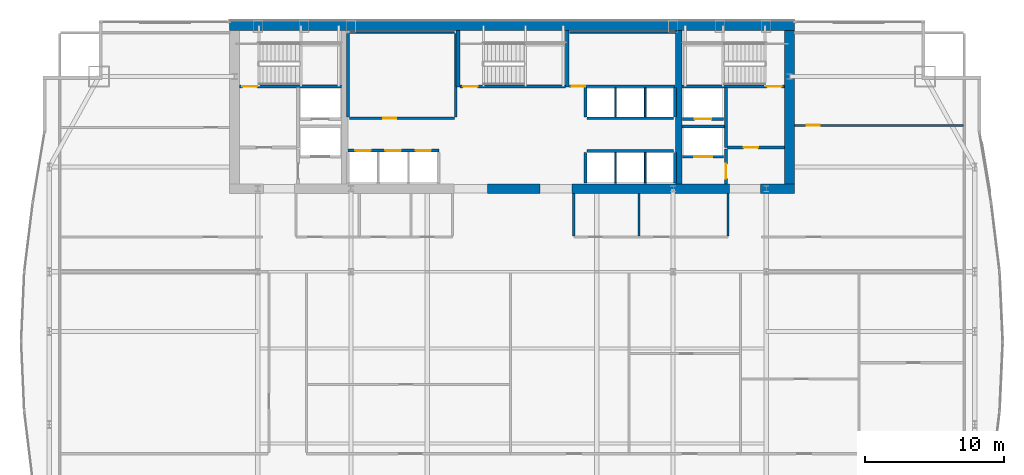
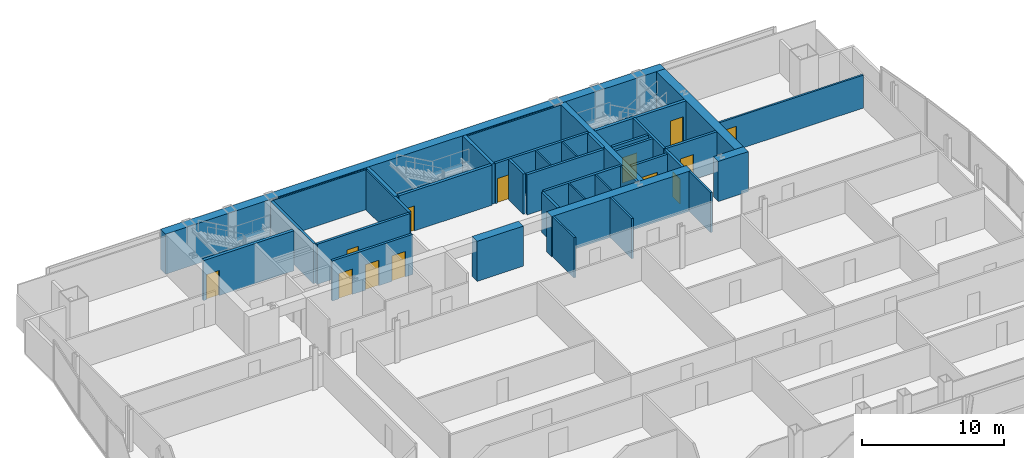
# One storey, part 28 of 31: 38 walls, 13 doors, 13 openings.
"""IFC4 building model written with IfcOpenShell, lengths in metres."""

import ifcopenshell
import ifcopenshell.guid

model = None  # the IFC model being written
_history = None  # IfcOwnerHistory: only IFC2X3 demands one
_inside = {}  # id of a spatial element -> (the spatial element, [elements in it])
_under = {}  # id of a project, library or spatial element -> (it, [spatial elements below it])
_declared = {}  # id of a project -> (the project, [libraries it declares])
_typed = {}  # id of a type object -> (the type object, [elements of that type])
_made_of = {}  # id of a material, layer set ... -> (it, [elements and type objects made of it])


def new_model(schema):
    """Start an empty IFC model of exactly this schema.

    Asked for "IFC4X3", IfcOpenShell would pick the latest addendum, in which some entities
    have other attributes; the version numbers below select the first issue.
    IFC2X3 requires an IfcOwnerHistory on every rooted entity: one is made here for all.
    """
    global model, _history
    if schema == "IFC4X3":
        model = ifcopenshell.file(schema_version=(4, 3, 0, 0))
    else:
        model = ifcopenshell.file(schema=schema)
    _inside.clear()
    _under.clear()
    _declared.clear()
    _typed.clear()
    _made_of.clear()
    _history = None
    if model.schema == "IFC2X3":
        org = make("IfcOrganization", Name="unknown")
        user = make(
            "IfcPersonAndOrganization",
            ThePerson=make("IfcPerson", FamilyName="unknown"),
            TheOrganization=org,
        )
        app = make(
            "IfcApplication",
            ApplicationDeveloper=org,
            Version="unknown",
            ApplicationFullName="unknown",
            ApplicationIdentifier="unknown",
        )
        _history = make(
            "IfcOwnerHistory",
            OwningUser=user,
            OwningApplication=app,
            ChangeAction="ADDED",
            CreationDate=0,
        )
    return model


def make(cls, **values):
    """One entity of the class cls with the attributes given. An attribute that is None is left unset."""
    return model.create_entity(
        cls, **{name: value for name, value in values.items() if value is not None}
    )


def rooted(cls, **values):
    """An entity with a GlobalId (a new one), such as an element, a storey or a relation."""
    return make(cls, GlobalId=ifcopenshell.guid.new(), OwnerHistory=_history, **values)


def si_unit(unit_type, name, prefix=None):
    """IfcSIUnit, for example si_unit("LENGTHUNIT", "METRE", prefix="MILLI")."""
    return make("IfcSIUnit", UnitType=unit_type, Prefix=prefix, Name=name)


def assignment(units):
    """IfcUnitAssignment: the units of a project."""
    return None if units is None else make("IfcUnitAssignment", Units=units)


def point(xyz):
    """IfcCartesianPoint."""
    return None if xyz is None else make("IfcCartesianPoint", Coordinates=xyz)


def direction(xyz):
    """IfcDirection."""
    return None if xyz is None else make("IfcDirection", DirectionRatios=xyz)


def frame(location, z_axis=None, x_axis=None):
    """IfcAxis2Placement3D, a coordinate frame: its origin and axes. An axis left out is left unset."""
    return make(
        "IfcAxis2Placement3D",
        Location=point(location),
        Axis=direction(z_axis),
        RefDirection=direction(x_axis),
    )


def frame_2d(location, x_axis=None):
    """IfcAxis2Placement2D, a coordinate frame in the plane: its origin and x axis."""
    return make(
        "IfcAxis2Placement2D", Location=point(location), RefDirection=direction(x_axis)
    )


def origin():
    """The frame at (0, 0, 0) with its axes left unset."""
    return frame((0.0, 0.0, 0.0))


def place(relative_to, where):
    """IfcLocalPlacement: puts the frame where relative to a parent placement (None: the world)."""
    return make(
        "IfcLocalPlacement", PlacementRelTo=relative_to, RelativePlacement=where
    )


def context(
    kind, dimensions, precision=None, world=None, true_north=None, identifier=None
):
    """IfcGeometricRepresentationContext, for example the 3D "Model" context."""
    return make(
        "IfcGeometricRepresentationContext",
        ContextIdentifier=identifier,
        ContextType=kind,
        CoordinateSpaceDimension=dimensions,
        Precision=precision,
        WorldCoordinateSystem=world,
        TrueNorth=true_north,
    )


def subcontext(parent, identifier, kind, view, scale=None):
    """IfcGeometricRepresentationSubContext, for example "Body" below "Model"."""
    return make(
        "IfcGeometricRepresentationSubContext",
        ContextIdentifier=identifier,
        ContextType=kind,
        ParentContext=parent,
        TargetScale=scale,
        TargetView=view,
    )


def project(units=None, contexts=None):
    """IfcProject with its units and contexts."""
    return rooted(
        "IfcProject",
        Name="project",
        RepresentationContexts=contexts,
        UnitsInContext=assignment(units),
    )


def spatial(cls, under=None, at=None, **own):
    """A site, building, storey or space (cls), placed at a placement, below another one or the project."""
    s = rooted(cls, ObjectPlacement=at, **own)
    if under is not None:
        _under.setdefault(under.id(), (under, []))[1].append(s)
    return s


def profile(cls, at=None, kind="AREA", **sizes):
    """A parametric profile (cls). Its sizes go by their IFC names, for example OverallWidth=200.0."""
    return make(cls, ProfileType=kind, Position=at, **sizes)


def rectangle(**sizes):
    """IfcRectangleProfileDef."""
    return profile("IfcRectangleProfileDef", **sizes)


def extrude(swept, where, along, depth):
    """IfcExtrudedAreaSolid: the profile swept, set in the frame where, extruded along a direction by depth."""
    return make(
        "IfcExtrudedAreaSolid",
        SweptArea=swept,
        Position=where,
        ExtrudedDirection=direction(along),
        Depth=depth,
    )


def shape(context_of_items, identifier, shape_type, items):
    """IfcShapeRepresentation: the items that make up one representation, for example the "Body"."""
    return make(
        "IfcShapeRepresentation",
        ContextOfItems=context_of_items,
        RepresentationIdentifier=identifier,
        RepresentationType=shape_type,
        Items=items,
    )


def material(Name=None, Category=None):
    """IfcMaterial."""
    return make("IfcMaterial", Name=Name, Category=Category)


def layer(
    of_material, thickness, ventilated=None, Name=None, Category=None, Priority=None
):
    """IfcMaterialLayer: one layer of a wall or slab, of a material (None: an air gap)."""
    return make(
        "IfcMaterialLayer",
        Material=of_material,
        LayerThickness=thickness,
        IsVentilated=ventilated,
        Name=Name,
        Category=Category,
        Priority=Priority,
    )


def layer_set(layers, Name=None):
    """IfcMaterialLayerSet."""
    return make("IfcMaterialLayerSet", MaterialLayers=layers, LayerSetName=Name)


def made_of(thing, what):
    """Note that an element or type object is made of a material, layer set ...; save() writes the relation."""
    if what is not None:
        _made_of.setdefault(what.id(), (what, []))[1].append(thing)
    return thing


def type_object(cls, material=None, **own):
    """A type object (cls), such as IfcWallType, which elements share."""
    return made_of(rooted(cls, **own), material)


def element(
    cls,
    number,
    at=None,
    inside=None,
    cuts=None,
    type_object=None,
    material=None,
    context=None,
    identifier="Body",
    shape_type=None,
    held_by="IfcProductDefinitionShape",
    body=None,
    shapes=None,
    **own,
):
    """One element of the class cls, such as IfcWall. Its Tag is "e" and its number.

    at: its placement. inside: the storey or other place that contains it. cuts: it is an
    opening in that element (IfcRelVoidsElement). A single representation is given by context,
    identifier, shape_type and body (its items); several are given by shapes. held_by: the class
    of the entity that holds the representations. save() writes the other relations.
    """
    e = rooted(cls, Tag="e%d" % number, ObjectPlacement=at, **own)
    if body is not None:
        shapes = [shape(context, identifier, shape_type, body)]
    if shapes is not None:
        e.Representation = make(held_by, Representations=shapes)
    if inside is not None:
        _inside.setdefault(inside.id(), (inside, []))[1].append(e)
    if cuts is not None:
        rooted(
            "IfcRelVoidsElement", RelatingBuildingElement=cuts, RelatedOpeningElement=e
        )
    if type_object is not None:
        _typed.setdefault(type_object.id(), (type_object, []))[1].append(e)
    return made_of(e, material)


def fill(opening, filler):
    """IfcRelFillsElement: the door or window that sits in an opening."""
    return rooted(
        "IfcRelFillsElement",
        RelatingOpeningElement=opening,
        RelatedBuildingElement=filler,
    )


def aggregate(whole, parts):
    """IfcRelAggregates: a whole, such as a stair, and the parts it consists of."""
    return rooted("IfcRelAggregates", RelatingObject=whole, RelatedObjects=parts)


def save(model, path):
    """Write the relations noted so far, then the file.

    IfcRelAggregates (storeys below a building ...), IfcRelContainedInSpatialStructure (elements
    in a storey), IfcRelDefinesByType, IfcRelAssociatesMaterial and IfcRelDeclares: one each for
    every whole, place, type object, material and project.
    """
    for whole, parts in _under.values():
        aggregate(whole, parts)
    for where, things in _inside.values():
        rooted(
            "IfcRelContainedInSpatialStructure",
            RelatedElements=things,
            RelatingStructure=where,
        )
    for kind, things in _typed.values():
        rooted("IfcRelDefinesByType", RelatedObjects=things, RelatingType=kind)
    for what, things in _made_of.values():
        rooted("IfcRelAssociatesMaterial", RelatedObjects=things, RelatingMaterial=what)
    for by, libraries in _declared.values():
        rooted("IfcRelDeclares", RelatingContext=by, RelatedDefinitions=libraries)
    model.write(path)


model = new_model("IFC4")

# Units and contexts
model_context = context("Model", 3, precision=1e-05, world=origin(), true_north=direction((0.0, 1.0)))
body_context = subcontext(model_context, "Body", "Model", "MODEL_VIEW")
ifc_project = project(units=[si_unit("LENGTHUNIT", "METRE"), si_unit("AREAUNIT", "SQUARE_METRE"), si_unit("VOLUMEUNIT", "CUBIC_METRE"), si_unit("PLANEANGLEUNIT", "RADIAN"), si_unit("MASSUNIT", "GRAM", prefix="KILO")], contexts=[model_context])

# Site, building, storey
site_placement = place(None, origin())
site = spatial("IfcSite", under=ifc_project, at=site_placement, CompositionType="ELEMENT")
building_placement = place(site_placement, origin())
building = spatial("IfcBuilding", under=site, at=building_placement, Name="Khoronbel Lancet Exchange", CompositionType="ELEMENT")
storey_placement = place(building_placement, frame((0.0, 0.0, 121.800048828125)))
storey = spatial("IfcBuildingStorey", under=building, at=storey_placement, Name="L29", CompositionType="ELEMENT", Elevation=121.800048828125)

# Walls
ifc_material_1 = material(Name="Concrete C80/95", Category="concrete")
ifc_layer_1 = layer(ifc_material_1, 0.699951171875, Name="Concrete C80/95")
ifc_layer_set_1 = layer_set([ifc_layer_1], Name="Concrete C80/95")
wall_type_1 = type_object("IfcWallType", Name="WL-CW2", PredefinedType="SHEAR", material=ifc_layer_set_1)
wall_1_placement = place(storey_placement, frame((16.199951171875, 53.35009765625, 0.0), z_axis=(0.0, 0.0, 1.0), x_axis=(1.0, 0.0, 0.0)))
element("IfcWall", 1, at=wall_1_placement, inside=storey, type_object=wall_type_1, Name="Level L29 rear core north shear wall", PredefinedType="SHEAR", context=body_context, shape_type="SweptSolid", body=[
    extrude(rectangle(XDim=40.5, YDim=0.699951171875, at=frame_2d((20.25, 0.0))), origin(), (0.0, 0.0, 1.0), 3.43994140625),
])
wall_2_placement = place(storey_placement, frame((56.35009765625, 53.0, 0.0), z_axis=(0.0, 0.0, 1.0), x_axis=(0.0, -1.0, 0.0)))
element("IfcWall", 2, at=wall_2_placement, inside=storey, type_object=wall_type_1, Name="Level L29 rear core east shear wall", PredefinedType="SHEAR", context=body_context, shape_type="SweptSolid", body=[
    extrude(rectangle(XDim=11.0, YDim=0.699951171875, at=frame_2d((5.5, 0.0))), origin(), (0.0, 0.0, 1.0), 3.43994140625),
])
wall_3_placement = place(storey_placement, frame((38.449951171875, 41.64990234375, 0.0), z_axis=(0.0, 0.0, 1.0), x_axis=(-1.0, 0.0, 0.0)))
element("IfcWall", 3, at=wall_3_placement, inside=storey, type_object=wall_type_1, Name="Level L29 rear core south shear wall pier P3", PredefinedType="SHEAR", context=body_context, shape_type="SweptSolid", body=[
    extrude(rectangle(XDim=3.75, YDim=0.699951171875, at=frame_2d((1.875, 0.0))), origin(), (0.0, 0.0, 1.0), 3.43994140625),
])
wall_4_placement = place(storey_placement, frame((52.050048828125, 41.64990234375, 0.0), z_axis=(0.0, 0.0, 1.0), x_axis=(-1.0, 0.0, 0.0)))
element("IfcWall", 4, at=wall_4_placement, inside=storey, type_object=wall_type_1, Name="Level L29 rear core south shear wall pier P4", PredefinedType="SHEAR", context=body_context, shape_type="SweptSolid", body=[
    extrude(rectangle(XDim=11.300048828125, YDim=0.699951171875, at=frame_2d((5.64990234375, 0.0))), origin(), (0.0, 0.0, 1.0), 3.43994140625),
])
wall_5_placement = place(storey_placement, frame((56.699951171875, 41.64990234375, 0.0), z_axis=(0.0, 0.0, 1.0), x_axis=(-1.0, 0.0, 0.0)))
element("IfcWall", 5, at=wall_5_placement, inside=storey, type_object=wall_type_1, Name="Level L29 rear core south shear wall pier P5", PredefinedType="SHEAR", context=body_context, shape_type="SweptSolid", body=[
    extrude(rectangle(XDim=2.449951171875, YDim=0.699951171875, at=frame_2d((1.22509765625, 0.0))), origin(), (0.0, 0.0, 1.0), 3.43994140625),
])
ifc_material_2 = material(Name="Acoustic Metal-Stud & Mineral-Wool Gypsum Partition 120 mm", Category="gypsum")
ifc_layer_2 = layer(ifc_material_2, 0.1201171875, Name="Acoustic Metal-Stud & Mineral-Wool Gypsum Partition 120 mm")
ifc_layer_set_2 = layer_set([ifc_layer_2], Name="Acoustic Metal-Stud & Mineral-Wool Gypsum Partition 120 mm")
wall_type_2 = type_object("IfcWallType", Name="WL-PRT120", PredefinedType="PARTITIONING", material=ifc_layer_set_2)
for number, where, z_axis, x_axis, name in (
    (6, (40.8798828125, 38.280029296875, 0.0), (0.0, 0.0, 1.0), (0.0, 1.0, 0.0), "Level L29 interior partition PW-NP-0"),
    (7, (45.550048828125, 38.280029296875, 0.0), (0.0, 0.0, 1.0), (0.0, 1.0, 0.0), "Level L29 interior partition PW-NP-M"),
    (8, (51.949951171875, 38.280029296875, 0.0), (0.0, 0.0, 1.0), (0.0, 1.0, 0.0), "Level L29 interior partition PW-NP-1"),
):
    element("IfcWall", number, at=place(storey_placement, frame(where, z_axis=z_axis, x_axis=x_axis)), inside=storey, type_object=wall_type_2, Name=name, PredefinedType="PARTITIONING", context=body_context, shape_type="SweptSolid", body=[
        extrude(rectangle(XDim=3.02001953125, YDim=0.14990234375, at=frame_2d((1.510009765625, 0.0))), origin(), (0.0, 0.0, 1.0), 3.43994140625),
    ])

# Wall, opening, door
wall_6_placement = place(storey_placement, frame((56.699951171875, 46.199951171875, 0.0), z_axis=(0.0, 0.0, 1.0), x_axis=(1.0, 0.0, 0.0)))
wall_6 = element("IfcWall", 9, at=wall_6_placement, inside=storey, type_object=wall_type_2, Name="Level L29 interior partition PW-NE-H", PredefinedType="PARTITIONING", context=body_context, shape_type="SweptSolid", body=[
    extrude(rectangle(XDim=12.10498046875, YDim=0.14990234375, at=frame_2d((6.052490234375, 0.0))), origin(), (0.0, 0.0, 1.0), 2.829833984375),
])
opening_1_placement = place(wall_6_placement, frame((0.89990234375, 0.0, 0.0)))
opening_1 = element("IfcOpeningElement", 10, at=opening_1_placement, cuts=wall_6, Name="Opening D5", PredefinedType="OPENING", context=body_context, shape_type="SweptSolid", body=[
    extrude(rectangle(XDim=0.89990234375, YDim=2.050048828125, at=frame_2d((0.449951171875, 1.02490234375))), frame((0.0, 0.0849609375, 0.0), z_axis=(0.0, -1.0, 0.0), x_axis=(1.0, 0.0, 0.0)), (0.0, 0.0, 1.0), 0.169921875),
])
ifc_material_3 = material(Name="Acoustic Timber Pantry & Support Door", Category="wood")
door_type_1 = type_object("IfcDoorType", Name="DR-D5", OperationType="NOTDEFINED", PredefinedType="DOOR", material=ifc_material_3)
door_1_placement = place(opening_1_placement, origin())
door_1 = element("IfcDoor", 11, at=door_1_placement, inside=storey, type_object=door_type_1, Name="NE north room door L29-1", OperationType="SINGLE_SWING_LEFT", OverallHeight=2.050048828125, OverallWidth=0.89990234375, PredefinedType="DOOR", context=body_context, shape_type="SweptSolid", body=[
    extrude(rectangle(XDim=0.89990234375, YDim=2.050048828125, at=frame_2d((0.449951171875, 1.02490234375))), frame((0.0, 0.02490234375, 0.0), z_axis=(0.0, -1.0, 0.0), x_axis=(1.0, 0.0, 0.0)), (0.0, 0.0, 1.0), 0.050048828125),
])
fill(opening_1, door_1)

# Walls
ifc_material_4 = material(Name="Fire-Rated Metal-Stud & Mineral-Wool Gypsum Partition 120 mm", Category="gypsum")
ifc_layer_3 = layer(ifc_material_4, 0.1201171875, Name="Fire-Rated Metal-Stud & Mineral-Wool Gypsum Partition 120 mm")
ifc_layer_set_3 = layer_set([ifc_layer_3], Name="Fire-Rated Metal-Stud & Mineral-Wool Gypsum Partition 120 mm")
wall_type_3 = type_object("IfcWallType", Name="WL-PRT120F", PredefinedType="PARTITIONING", material=ifc_layer_set_3)
wall_7_placement = place(storey_placement, frame((24.804931640625, 52.860107421875, 0.0), z_axis=(0.0, 0.0, 1.0), x_axis=(1.0, 0.0, 0.0)))
element("IfcWall", 12, at=wall_7_placement, inside=storey, type_object=wall_type_3, Name="Level L29 interior partition CW-PL-RN", PredefinedType="PARTITIONING", context=body_context, shape_type="SweptSolid", body=[
    extrude(rectangle(XDim=7.510009765625, YDim=0.1201171875, at=frame_2d((3.7548828125, 0.0))), origin(), (0.0, 0.0, 1.0), 3.43994140625),
])
for number, where, z_axis, x_axis, name in (
    (13, (43.860107421875, 46.804931640625, 0.0), (0.0, 0.0, 1.0), (0.0, 1.0, 0.0), "Level L29 interior partition CW-PH-D1"),
    (14, (46.0, 46.804931640625, 0.0), (0.0, 0.0, 1.0), (0.0, 1.0, 0.0), "Level L29 interior partition CW-PH-D2"),
):
    element("IfcWall", number, at=place(storey_placement, frame(where, z_axis=z_axis, x_axis=x_axis)), inside=storey, type_object=wall_type_3, Name=name, PredefinedType="PARTITIONING", context=body_context, shape_type="SweptSolid", body=[
        extrude(rectangle(XDim=2.090087890625, YDim=0.1201171875, at=frame_2d((1.044921875, 0.0))), origin(), (0.0, 0.0, 1.0), 3.43994140625),
    ])
for number, where, z_axis, x_axis, name in (
    (15, (43.860107421875, 42.050048828125, 0.0), (0.0, 0.0, 1.0), (0.0, 1.0, 0.0), "Level L29 interior partition CW-PX-D1"),
    (16, (46.0, 42.050048828125, 0.0), (0.0, 0.0, 1.0), (0.0, 1.0, 0.0), "Level L29 interior partition CW-PX-D2"),
):
    element("IfcWall", number, at=place(storey_placement, frame(where, z_axis=z_axis, x_axis=x_axis)), inside=storey, type_object=wall_type_3, Name=name, PredefinedType="PARTITIONING", context=body_context, shape_type="SweptSolid", body=[
        extrude(rectangle(XDim=2.195068359375, YDim=0.1201171875, at=frame_2d((1.09765625, 0.0))), origin(), (0.0, 0.0, 1.0), 3.43994140625),
    ])
wall_8_placement = place(storey_placement, frame((40.580078125, 52.860107421875, 0.0), z_axis=(0.0, 0.0, 1.0), x_axis=(1.0, 0.0, 0.0)))
element("IfcWall", 17, at=wall_8_placement, inside=storey, type_object=wall_type_3, Name="Level L29 interior partition CW-SUP-NE-N", PredefinedType="PARTITIONING", context=body_context, shape_type="SweptSolid", body=[
    extrude(rectangle(XDim=7.559814453125, YDim=0.1201171875, at=frame_2d((3.77978515625, 0.0))), origin(), (0.0, 0.0, 1.0), 3.43994140625),
])

# Wall, openings, doors
ifc_material_5 = material(Name="Autoclaved Aerated Concrete Blockwork 200 mm", Category="masonry")
ifc_layer_4 = layer(ifc_material_5, 0.199951171875, Name="Autoclaved Aerated Concrete Blockwork 200 mm")
ifc_layer_set_4 = layer_set([ifc_layer_4], Name="Autoclaved Aerated Concrete Blockwork 200 mm")
wall_type_4 = type_object("IfcWallType", Name="WL-PRT200", PredefinedType="PARTITIONING", material=ifc_layer_set_4)
wall_9_placement = place(storey_placement, frame((24.68994140625, 44.39990234375, 0.0), z_axis=(0.0, 0.0, 1.0), x_axis=(1.0, 0.0, 0.0)))
wall_9 = element("IfcWall", 18, at=wall_9_placement, inside=storey, type_object=wall_type_4, Name="Level L29 elevator hoistway landing front wall PMW", PredefinedType="PARTITIONING", context=body_context, shape_type="SweptSolid", body=[
    extrude(rectangle(XDim=6.530029296875, YDim=0.199951171875, at=frame_2d((3.26513671875, 0.0))), origin(), (0.0, 0.0, 1.0), 3.43994140625),
])
opening_2_placement = place(wall_9_placement, frame((0.530029296875, 0.0, 0.0)))
opening_2 = element("IfcOpeningElement", 19, at=opening_2_placement, cuts=wall_9, Name="Opening LD-PM1", PredefinedType="OPENING", context=body_context, shape_type="SweptSolid", body=[
    extrude(rectangle(XDim=1.10009765625, YDim=2.179931640625, at=frame_2d((0.550048828125, 1.08984375))), frame((0.0, 0.10986328125, 0.0), z_axis=(0.0, -1.0, 0.0), x_axis=(1.0, 0.0, 0.0)), (0.0, 0.0, 1.0), 0.219970703125),
])
opening_3_placement = place(wall_9_placement, frame((2.68994140625, 0.0, 0.0)))
opening_3 = element("IfcOpeningElement", 20, at=opening_3_placement, cuts=wall_9, Name="Opening LD-PM2", PredefinedType="OPENING", context=body_context, shape_type="SweptSolid", body=[
    extrude(rectangle(XDim=1.10009765625, YDim=2.179931640625, at=frame_2d((0.550048828125, 1.08984375))), frame((0.0, 0.10986328125, 0.0), z_axis=(0.0, -1.0, 0.0), x_axis=(1.0, 0.0, 0.0)), (0.0, 0.0, 1.0), 0.219970703125),
])
opening_4_placement = place(wall_9_placement, frame((4.85009765625, 0.0, 0.0)))
opening_4 = element("IfcOpeningElement", 21, at=opening_4_placement, cuts=wall_9, Name="Opening LD-PM3", PredefinedType="OPENING", context=body_context, shape_type="SweptSolid", body=[
    extrude(rectangle(XDim=1.10009765625, YDim=2.179931640625, at=frame_2d((0.550048828125, 1.08984375))), frame((0.0, 0.10986328125, 0.0), z_axis=(0.0, -1.0, 0.0), x_axis=(1.0, 0.0, 0.0)), (0.0, 0.0, 1.0), 0.219970703125),
])
ifc_material_6 = material(Name="Brushed Bronze Bi-Parting Elevator Landing Door", Category="steel")
door_type_2 = type_object("IfcDoorType", Name="DR-LD-PAX", OperationType="NOTDEFINED", PredefinedType="DOOR", material=ifc_material_6)
door_2_placement = place(opening_2_placement, origin())
door_2 = element("IfcDoor", 22, at=door_2_placement, inside=storey, type_object=door_type_2, Name="Elevator landing sliding door LD-PM1 L29", OperationType="SLIDING_TO_LEFT", OverallHeight=2.179931640625, OverallWidth=1.10009765625, PredefinedType="DOOR", context=body_context, shape_type="SweptSolid", body=[
    extrude(rectangle(XDim=1.10009765625, YDim=2.179931640625, at=frame_2d((0.550048828125, 1.08984375))), frame((0.0, 0.02490234375, 0.0), z_axis=(0.0, -1.0, 0.0), x_axis=(1.0, 0.0, 0.0)), (0.0, 0.0, 1.0), 0.050048828125),
])
fill(opening_2, door_2)
door_3_placement = place(opening_3_placement, origin())
door_3 = element("IfcDoor", 23, at=door_3_placement, inside=storey, type_object=door_type_2, Name="Elevator landing sliding door LD-PM2 L29", OperationType="SLIDING_TO_LEFT", OverallHeight=2.179931640625, OverallWidth=1.10009765625, PredefinedType="DOOR", context=body_context, shape_type="SweptSolid", body=[
    extrude(rectangle(XDim=1.10009765625, YDim=2.179931640625, at=frame_2d((0.550048828125, 1.08984375))), frame((0.0, 0.02490234375, 0.0), z_axis=(0.0, -1.0, 0.0), x_axis=(1.0, 0.0, 0.0)), (0.0, 0.0, 1.0), 0.050048828125),
])
fill(opening_3, door_3)
door_4_placement = place(opening_4_placement, origin())
door_4 = element("IfcDoor", 24, at=door_4_placement, inside=storey, type_object=door_type_2, Name="Elevator landing sliding door LD-PM3 L29", OperationType="SLIDING_TO_LEFT", OverallHeight=2.179931640625, OverallWidth=1.10009765625, PredefinedType="DOOR", context=body_context, shape_type="SweptSolid", body=[
    extrude(rectangle(XDim=1.10009765625, YDim=2.179931640625, at=frame_2d((0.550048828125, 1.08984375))), frame((0.0, 0.02490234375, 0.0), z_axis=(0.0, -1.0, 0.0), x_axis=(1.0, 0.0, 0.0)), (0.0, 0.0, 1.0), 0.050048828125),
])
fill(opening_4, door_4)

# Wall, opening, door
wall_10_placement = place(storey_placement, frame((51.610107421875, 43.949951171875, 0.0), z_axis=(0.0, 0.0, 1.0), x_axis=(-1.0, 0.0, 0.0)))
wall_10 = element("IfcWall", 25, at=wall_10_placement, inside=storey, type_object=wall_type_4, Name="Level L29 elevator hoistway landing front wall SVLE", PredefinedType="PARTITIONING", context=body_context, shape_type="SweptSolid", body=[
    extrude(rectangle(XDim=2.920166015625, YDim=0.199951171875, at=frame_2d((1.4599609375, 0.0))), origin(), (0.0, 0.0, 1.0), 3.43994140625),
])
opening_5_placement = place(wall_10_placement, frame((0.81005859375, 0.0, 0.0)))
opening_5 = element("IfcOpeningElement", 26, at=opening_5_placement, cuts=wall_10, Name="Opening LD-SVL2", PredefinedType="OPENING", context=body_context, shape_type="SweptSolid", body=[
    extrude(rectangle(XDim=1.300048828125, YDim=2.179931640625, at=frame_2d((0.64990234375, 1.08984375))), frame((0.0, 0.10986328125, 0.0), z_axis=(0.0, -1.0, 0.0), x_axis=(1.0, 0.0, 0.0)), (0.0, 0.0, 1.0), 0.219970703125),
])
ifc_material_7 = material(Name="Heavy-Duty Bi-Parting Goods Lift Landing Door", Category="steel")
door_type_3 = type_object("IfcDoorType", Name="DR-LD-SVL", OperationType="NOTDEFINED", PredefinedType="DOOR", material=ifc_material_7)
door_5_placement = place(opening_5_placement, origin())
door_5 = element("IfcDoor", 27, at=door_5_placement, inside=storey, type_object=door_type_3, Name="Elevator landing sliding door LD-SVL2 L29", OperationType="SLIDING_TO_LEFT", OverallHeight=2.179931640625, OverallWidth=1.300048828125, PredefinedType="DOOR", context=body_context, shape_type="SweptSolid", body=[
    extrude(rectangle(XDim=1.300048828125, YDim=2.179931640625, at=frame_2d((0.64990234375, 1.08984375))), frame((0.0, 0.02490234375, 0.0), z_axis=(0.0, -1.0, 0.0), x_axis=(1.0, 0.0, 0.0)), (0.0, 0.0, 1.0), 0.050048828125),
])
fill(opening_5, door_5)

wall_11_placement = place(storey_placement, frame((51.610107421875, 46.64990234375, 0.0), z_axis=(0.0, 0.0, 1.0), x_axis=(-1.0, 0.0, 0.0)))
wall_11 = element("IfcWall", 28, at=wall_11_placement, inside=storey, type_object=wall_type_4, Name="Level L29 elevator hoistway landing front wall FFLE", PredefinedType="PARTITIONING", context=body_context, shape_type="SweptSolid", body=[
    extrude(rectangle(XDim=2.920166015625, YDim=0.199951171875, at=frame_2d((1.4599609375, 0.0))), origin(), (0.0, 0.0, 1.0), 3.43994140625),
])
opening_6_placement = place(wall_11_placement, frame((0.860107421875, 0.0, 0.0)))
opening_6 = element("IfcOpeningElement", 29, at=opening_6_placement, cuts=wall_11, Name="Opening LD-FFL2", PredefinedType="OPENING", context=body_context, shape_type="SweptSolid", body=[
    extrude(rectangle(XDim=1.199951171875, YDim=2.179931640625, at=frame_2d((0.60009765625, 1.08984375))), frame((0.0, 0.10986328125, 0.0), z_axis=(0.0, -1.0, 0.0), x_axis=(1.0, 0.0, 0.0)), (0.0, 0.0, 1.0), 0.219970703125),
])
ifc_material_8 = material(Name="Fire-Rated Stainless Bi-Parting Firefighting Lift Door", Category="steel")
door_type_4 = type_object("IfcDoorType", Name="DR-LD-FFL", OperationType="NOTDEFINED", PredefinedType="DOOR", material=ifc_material_8)
door_6_placement = place(opening_6_placement, origin())
door_6 = element("IfcDoor", 30, at=door_6_placement, inside=storey, type_object=door_type_4, Name="Elevator landing sliding door LD-FFL2 L29", OperationType="SLIDING_TO_LEFT", OverallHeight=2.179931640625, OverallWidth=1.199951171875, PredefinedType="DOOR", context=body_context, shape_type="SweptSolid", body=[
    extrude(rectangle(XDim=1.199951171875, YDim=2.179931640625, at=frame_2d((0.60009765625, 1.08984375))), frame((0.0, 0.02490234375, 0.0), z_axis=(0.0, -1.0, 0.0), x_axis=(1.0, 0.0, 0.0)), (0.0, 0.0, 1.0), 0.050048828125),
])
fill(opening_6, door_6)

# Wall
wall_12_placement = place(storey_placement, frame((51.800048828125, 44.60009765625, 0.0), z_axis=(0.0, 0.0, 1.0), x_axis=(0.0, 1.0, 0.0)))
element("IfcWall", 31, at=wall_12_placement, inside=storey, type_object=wall_type_4, Name="Level L29 interior partition CW-FFLE-W", PredefinedType="PARTITIONING", context=body_context, shape_type="SweptSolid", body=[
    extrude(rectangle(XDim=4.2998046875, YDim=0.199951171875, at=frame_2d((2.14990234375, 0.0))), origin(), (0.0, 0.0, 1.0), 3.43994140625),
])

# Wall, opening, door
wall_13_placement = place(storey_placement, frame((51.89990234375, 44.60009765625, 0.0), z_axis=(0.0, 0.0, 1.0), x_axis=(1.0, 0.0, 0.0)))
wall_13 = element("IfcWall", 32, at=wall_13_placement, inside=storey, type_object=wall_type_4, Name="Level L29 interior partition CW-FFLE-S", PredefinedType="PARTITIONING", context=body_context, shape_type="SweptSolid", body=[
    extrude(rectangle(XDim=4.10009765625, YDim=0.199951171875, at=frame_2d((2.050048828125, 0.0))), origin(), (0.0, 0.0, 1.0), 3.43994140625),
])
opening_7_placement = place(wall_13_placement, frame((1.14990234375, 0.0, 0.0)))
opening_7 = element("IfcOpeningElement", 33, at=opening_7_placement, cuts=wall_13, Name="Opening FD1", PredefinedType="OPENING", context=body_context, shape_type="SweptSolid", body=[
    extrude(rectangle(XDim=1.050048828125, YDim=2.14990234375, at=frame_2d((0.52490234375, 1.074951171875))), frame((0.0, 0.10986328125, 0.0), z_axis=(0.0, -1.0, 0.0), x_axis=(1.0, 0.0, 0.0)), (0.0, 0.0, 1.0), 0.219970703125),
])
ifc_material_9 = material(Name="Fire-Rated Painted Steel Door Assembly", Category="steel")
door_type_5 = type_object("IfcDoorType", Name="DR-FD1", OperationType="NOTDEFINED", PredefinedType="DOOR", material=ifc_material_9)
door_7_placement = place(opening_7_placement, origin())
door_7 = element("IfcDoor", 34, at=door_7_placement, inside=storey, type_object=door_type_5, Name="East firefighting lobby FD90S door L29-1", OperationType="SINGLE_SWING_LEFT", OverallHeight=2.14990234375, OverallWidth=1.050048828125, PredefinedType="DOOR", context=body_context, shape_type="SweptSolid", body=[
    extrude(rectangle(XDim=1.050048828125, YDim=2.14990234375, at=frame_2d((0.52490234375, 1.074951171875))), frame((0.0, 0.02490234375, 0.0), z_axis=(0.0, -1.0, 0.0), x_axis=(1.0, 0.0, 0.0)), (0.0, 0.0, 1.0), 0.050048828125),
])
fill(opening_7, door_7)

# Wall
wall_14_placement = place(storey_placement, frame((48.6298828125, 46.1201171875, 0.0), z_axis=(0.0, 0.0, 1.0), x_axis=(1.0, 0.0, 0.0)))
element("IfcWall", 35, at=wall_14_placement, inside=storey, type_object=wall_type_4, Name="Level L29 interior partition CW-FFL2-S", PredefinedType="PARTITIONING", context=body_context, shape_type="SweptSolid", body=[
    extrude(rectangle(XDim=3.070068359375, YDim=0.199951171875, at=frame_2d((1.53515625, 0.0))), origin(), (0.0, 0.0, 1.0), 3.43994140625),
])

# Wall, opening, door
wall_15_placement = place(storey_placement, frame((51.800048828125, 42.0, 0.0), z_axis=(0.0, 0.0, 1.0), x_axis=(0.0, 1.0, 0.0)))
wall_15 = element("IfcWall", 36, at=wall_15_placement, inside=storey, type_object=wall_type_4, Name="Level L29 interior partition CW-SVLE-E", PredefinedType="PARTITIONING", context=body_context, shape_type="SweptSolid", body=[
    extrude(rectangle(XDim=2.4951171875, YDim=0.199951171875, at=frame_2d((1.24755859375, 0.0))), origin(), (0.0, 0.0, 1.0), 3.43994140625),
])
opening_8_placement = place(wall_15_placement, frame((0.3798828125, 0.0, 0.0)))
opening_8 = element("IfcOpeningElement", 37, at=opening_8_placement, cuts=wall_15, Name="Opening FD1", PredefinedType="OPENING", context=body_context, shape_type="SweptSolid", body=[
    extrude(rectangle(XDim=1.050048828125, YDim=2.14990234375, at=frame_2d((0.52490234375, 1.074951171875))), frame((0.0, 0.10986328125, 0.0), z_axis=(0.0, -1.0, 0.0), x_axis=(1.0, 0.0, 0.0)), (0.0, 0.0, 1.0), 0.219970703125),
])
door_8_placement = place(opening_8_placement, origin())
door_8 = element("IfcDoor", 38, at=door_8_placement, inside=storey, type_object=door_type_5, Name="East service lift lobby door L29-1", OperationType="SINGLE_SWING_RIGHT", OverallHeight=2.14990234375, OverallWidth=1.050048828125, PredefinedType="DOOR", context=body_context, shape_type="SweptSolid", body=[
    extrude(rectangle(XDim=1.050048828125, YDim=2.14990234375, at=frame_2d((0.52490234375, 1.074951171875))), frame((0.0, 0.02490234375, 0.0), z_axis=(0.0, -1.0, 0.0), x_axis=(1.0, 0.0, 0.0)), (0.0, 0.0, 1.0), 0.050048828125),
])
fill(opening_8, door_8)

# Walls
for number, where, z_axis, x_axis, name in (
    (39, (24.699951171875, 46.804931640625, 0.0), (0.0, 0.0, 1.0), (0.0, 1.0, 0.0), "Level L29 interior partition CW-PL-RW"),
    (40, (32.419921875, 46.804931640625, 0.0), (0.0, 0.0, 1.0), (0.0, 1.0, 0.0), "Level L29 interior partition CW-PL-RE"),
):
    element("IfcWall", number, at=place(storey_placement, frame(where, z_axis=z_axis, x_axis=x_axis)), inside=storey, type_object=wall_type_4, Name=name, PredefinedType="PARTITIONING", context=body_context, shape_type="SweptSolid", body=[
        extrude(rectangle(XDim=5.989990234375, YDim=0.199951171875, at=frame_2d((2.9951171875, 0.0))), origin(), (0.0, 0.0, 1.0), 3.43994140625),
    ])

# Wall, opening, door
wall_16_placement = place(storey_placement, frame((24.804931640625, 46.699951171875, 0.0), z_axis=(0.0, 0.0, 1.0), x_axis=(1.0, 0.0, 0.0)))
wall_16 = element("IfcWall", 41, at=wall_16_placement, inside=storey, type_object=wall_type_4, Name="Level L29 interior partition CW-PL-RF", PredefinedType="PARTITIONING", context=body_context, shape_type="SweptSolid", body=[
    extrude(rectangle(XDim=7.510009765625, YDim=0.199951171875, at=frame_2d((3.7548828125, 0.0))), origin(), (0.0, 0.0, 1.0), 3.43994140625),
])
opening_9_placement = place(wall_16_placement, frame((2.39990234375, 0.0, 0.0)))
opening_9 = element("IfcOpeningElement", 42, at=opening_9_placement, cuts=wall_16, Name="Opening FD3", PredefinedType="OPENING", context=body_context, shape_type="SweptSolid", body=[
    extrude(rectangle(XDim=0.949951171875, YDim=2.10009765625, at=frame_2d((0.47509765625, 1.050048828125))), frame((0.0, 0.10986328125, 0.0), z_axis=(0.0, -1.0, 0.0), x_axis=(1.0, 0.0, 0.0)), (0.0, 0.0, 1.0), 0.219970703125),
])
ifc_material_10 = material(Name="Fire-Rated Steel Plant & Riser Door Assembly", Category="steel")
door_type_6 = type_object("IfcDoorType", Name="DR-FD3", OperationType="NOTDEFINED", PredefinedType="DOOR", material=ifc_material_10)
door_9_placement = place(opening_9_placement, origin())
door_9 = element("IfcDoor", 43, at=door_9_placement, inside=storey, type_object=door_type_6, Name="Reclaimed PL room door L29-1", OperationType="SINGLE_SWING_LEFT", OverallHeight=2.10009765625, OverallWidth=0.949951171875, PredefinedType="DOOR", context=body_context, shape_type="SweptSolid", body=[
    extrude(rectangle(XDim=0.949951171875, YDim=2.10009765625, at=frame_2d((0.47509765625, 1.050048828125))), frame((0.0, 0.02490234375, 0.0), z_axis=(0.0, -1.0, 0.0), x_axis=(1.0, 0.0, 0.0)), (0.0, 0.0, 1.0), 0.050048828125),
])
fill(opening_9, door_9)

# Walls
wall_17_placement = place(storey_placement, frame((41.824951171875, 46.699951171875, 0.0), z_axis=(0.0, 0.0, 1.0), x_axis=(1.0, 0.0, 0.0)))
element("IfcWall", 44, at=wall_17_placement, inside=storey, type_object=wall_type_4, Name="Level L29 interior partition CW-PH-EXP", PredefinedType="PARTITIONING", context=body_context, shape_type="SweptSolid", body=[
    extrude(rectangle(XDim=6.2099609375, YDim=0.199951171875, at=frame_2d((3.10498046875, 0.0))), origin(), (0.0, 0.0, 1.0), 3.43994140625),
])
for number, where, z_axis, x_axis, name in (
    (45, (41.719970703125, 46.804931640625, 0.0), (0.0, 0.0, 1.0), (0.0, 1.0, 0.0), "Level L29 interior partition CW-PH-W"),
    (46, (48.139892578125, 46.804931640625, 0.0), (0.0, 0.0, 1.0), (0.0, 1.0, 0.0), "Level L29 interior partition CW-PH-E"),
):
    element("IfcWall", number, at=place(storey_placement, frame(where, z_axis=z_axis, x_axis=x_axis)), inside=storey, type_object=wall_type_4, Name=name, PredefinedType="PARTITIONING", context=body_context, shape_type="SweptSolid", body=[
        extrude(rectangle(XDim=2.090087890625, YDim=0.199951171875, at=frame_2d((1.044921875, 0.0))), origin(), (0.0, 0.0, 1.0), 3.43994140625),
    ])
wall_18_placement = place(storey_placement, frame((41.824951171875, 44.35009765625, 0.0), z_axis=(0.0, 0.0, 1.0), x_axis=(1.0, 0.0, 0.0)))
element("IfcWall", 47, at=wall_18_placement, inside=storey, type_object=wall_type_4, Name="Level L29 interior partition CW-PX-EXP", PredefinedType="PARTITIONING", context=body_context, shape_type="SweptSolid", body=[
    extrude(rectangle(XDim=6.2099609375, YDim=0.199951171875, at=frame_2d((3.10498046875, 0.0))), origin(), (0.0, 0.0, 1.0), 3.43994140625),
])
for number, where, z_axis, x_axis, name in (
    (48, (41.719970703125, 42.050048828125, 0.0), (0.0, 0.0, 1.0), (0.0, 1.0, 0.0), "Level L29 interior partition CW-PX-W"),
    (49, (48.139892578125, 42.050048828125, 0.0), (0.0, 0.0, 1.0), (0.0, 1.0, 0.0), "Level L29 interior partition CW-PX-E"),
):
    element("IfcWall", number, at=place(storey_placement, frame(where, z_axis=z_axis, x_axis=x_axis)), inside=storey, type_object=wall_type_4, Name=name, PredefinedType="PARTITIONING", context=body_context, shape_type="SweptSolid", body=[
        extrude(rectangle(XDim=2.195068359375, YDim=0.199951171875, at=frame_2d((1.09765625, 0.0))), origin(), (0.0, 0.0, 1.0), 3.43994140625),
    ])

# Wall, opening, door
wall_19_placement = place(storey_placement, frame((40.580078125, 49.0, 0.0), z_axis=(0.0, 0.0, 1.0), x_axis=(1.0, 0.0, 0.0)))
wall_19 = element("IfcWall", 50, at=wall_19_placement, inside=storey, type_object=wall_type_4, Name="Level L29 interior partition CW-SUP-NE-S", PredefinedType="PARTITIONING", context=body_context, shape_type="SweptSolid", body=[
    extrude(rectangle(XDim=7.559814453125, YDim=0.199951171875, at=frame_2d((3.77978515625, 0.0))), origin(), (0.0, 0.0, 1.0), 3.43994140625),
])
opening_10_placement = place(wall_19_placement, frame((0.159912109375, 0.0, 0.0)))
opening_10 = element("IfcOpeningElement", 51, at=opening_10_placement, cuts=wall_19, Name="Opening FD3", PredefinedType="OPENING", context=body_context, shape_type="SweptSolid", body=[
    extrude(rectangle(XDim=0.949951171875, YDim=2.10009765625, at=frame_2d((0.47509765625, 1.050048828125))), frame((0.0, 0.10986328125, 0.0), z_axis=(0.0, -1.0, 0.0), x_axis=(1.0, 0.0, 0.0)), (0.0, 0.0, 1.0), 0.219970703125),
])
door_10_placement = place(opening_10_placement, origin())
door_10 = element("IfcDoor", 52, at=door_10_placement, inside=storey, type_object=door_type_6, Name="Core NE support room door L29-1", OperationType="SINGLE_SWING_RIGHT", OverallHeight=2.10009765625, OverallWidth=0.949951171875, PredefinedType="DOOR", context=body_context, shape_type="SweptSolid", body=[
    extrude(rectangle(XDim=0.949951171875, YDim=2.10009765625, at=frame_2d((0.47509765625, 1.050048828125))), frame((0.0, 0.02490234375, 0.0), z_axis=(0.0, -1.0, 0.0), x_axis=(1.0, 0.0, 0.0)), (0.0, 0.0, 1.0), 0.050048828125),
])
fill(opening_10, door_10)

# Walls
ifc_layer_5 = layer(ifc_material_1, 0.449951171875, Name="Concrete C80/95")
ifc_layer_set_5 = layer_set([ifc_layer_5], Name="Concrete C80/95")
wall_type_5 = type_object("IfcWallType", Name="WL-SW1", PredefinedType="SHEAR", material=ifc_layer_set_5)
wall_20_placement = place(storey_placement, frame((48.39990234375, 42.0, 0.0), z_axis=(0.0, 0.0, 1.0), x_axis=(0.0, 1.0, 0.0)))
element("IfcWall", 53, at=wall_20_placement, inside=storey, type_object=wall_type_5, Name="Level L29 rear core internal spine shear wall IE", PredefinedType="SHEAR", context=body_context, shape_type="SweptSolid", body=[
    extrude(rectangle(XDim=11.0, YDim=0.449951171875, at=frame_2d((5.5, 0.0))), origin(), (0.0, 0.0, 1.0), 3.43994140625),
])
ifc_material_11 = material(Name="Concrete C60/75", Category="concrete")
ifc_layer_6 = layer(ifc_material_11, 0.260009765625, Name="Concrete C60/75")
ifc_layer_set_6 = layer_set([ifc_layer_6], Name="Concrete C60/75")
wall_type_6 = type_object("IfcWallType", Name="WL-SW3", PredefinedType="SHEAR", material=ifc_layer_set_6)
for number, where, z_axis, x_axis, name in (
    (54, (32.580078125, 48.949951171875, 0.0), (0.0, 0.0, 1.0), (0.0, 1.0, 0.0), "Level L29 central stairwell structural shear wall ST3W"),
    (55, (40.419921875, 48.949951171875, 0.0), (0.0, 0.0, 1.0), (0.0, 1.0, 0.0), "Level L29 central stairwell structural shear wall ST3E"),
):
    element("IfcWall", number, at=place(storey_placement, frame(where, z_axis=z_axis, x_axis=x_axis)), inside=storey, type_object=wall_type_6, Name=name, PredefinedType="SHEAR", context=body_context, shape_type="SweptSolid", body=[
        extrude(rectangle(XDim=4.050048828125, YDim=0.260009765625, at=frame_2d((2.02490234375, 0.0))), origin(), (0.0, 0.0, 1.0), 3.43994140625),
    ])

# Wall, opening, door
wall_21_placement = place(storey_placement, frame((16.89990234375, 48.97998046875, 0.0), z_axis=(0.0, 0.0, 1.0), x_axis=(1.0, 0.0, 0.0)))
wall_21 = element("IfcWall", 56, at=wall_21_placement, inside=storey, type_object=wall_type_6, Name="Level L29 west stairwell structural south wall", PredefinedType="SHEAR", context=body_context, shape_type="SweptSolid", body=[
    extrude(rectangle(XDim=7.320068359375, YDim=0.239990234375, at=frame_2d((3.66015625, 0.0))), origin(), (0.0, 0.0, 1.0), 3.43994140625),
])
opening_11_placement = place(wall_21_placement, frame((0.219970703125, 0.0, 0.0)))
opening_11 = element("IfcOpeningElement", 57, at=opening_11_placement, cuts=wall_21, Name="Opening SD1", PredefinedType="OPENING", context=body_context, shape_type="SweptSolid", body=[
    extrude(rectangle(XDim=1.050048828125, YDim=2.14990234375, at=frame_2d((0.52490234375, 1.074951171875))), frame((0.0, 0.1298828125, 0.0), z_axis=(0.0, -1.0, 0.0), x_axis=(1.0, 0.0, 0.0)), (0.0, 0.0, 1.0), 0.260009765625),
])
ifc_material_12 = material(Name="Fire-Rated Steel Stairwell Door Assembly", Category="steel")
door_type_7 = type_object("IfcDoorType", Name="DR-SD1", OperationType="NOTDEFINED", PredefinedType="DOOR", material=ifc_material_12)
door_11_placement = place(opening_11_placement, origin())
door_11 = element("IfcDoor", 58, at=door_11_placement, inside=storey, type_object=door_type_7, Name="Protected exit stair ST1 door L29", OperationType="SINGLE_SWING_LEFT", OverallHeight=2.14990234375, OverallWidth=1.050048828125, PredefinedType="DOOR", context=body_context, shape_type="SweptSolid", body=[
    extrude(rectangle(XDim=1.050048828125, YDim=2.14990234375, at=frame_2d((0.52490234375, 1.074951171875))), frame((0.0, 0.02490234375, 0.0), z_axis=(0.0, -1.0, 0.0), x_axis=(1.0, 0.0, 0.0)), (0.0, 0.0, 1.0), 0.050048828125),
])
fill(opening_11, door_11)

wall_22_placement = place(storey_placement, frame((48.6298828125, 48.97998046875, 0.0), z_axis=(0.0, 0.0, 1.0), x_axis=(1.0, 0.0, 0.0)))
wall_22 = element("IfcWall", 59, at=wall_22_placement, inside=storey, type_object=wall_type_6, Name="Level L29 east stairwell structural south wall", PredefinedType="SHEAR", context=body_context, shape_type="SweptSolid", body=[
    extrude(rectangle(XDim=7.3701171875, YDim=0.239990234375, at=frame_2d((3.68505859375, 0.0))), origin(), (0.0, 0.0, 1.0), 3.43994140625),
])
opening_12_placement = place(wall_22_placement, frame((6.10009765625, 0.0, 0.0)))
opening_12 = element("IfcOpeningElement", 60, at=opening_12_placement, cuts=wall_22, Name="Opening SD1", PredefinedType="OPENING", context=body_context, shape_type="SweptSolid", body=[
    extrude(rectangle(XDim=1.050048828125, YDim=2.14990234375, at=frame_2d((0.52490234375, 1.074951171875))), frame((0.0, 0.1298828125, 0.0), z_axis=(0.0, -1.0, 0.0), x_axis=(1.0, 0.0, 0.0)), (0.0, 0.0, 1.0), 0.260009765625),
])
door_12_placement = place(opening_12_placement, origin())
door_12 = element("IfcDoor", 61, at=door_12_placement, inside=storey, type_object=door_type_7, Name="Protected exit stair ST2 door L29", OperationType="SINGLE_SWING_RIGHT", OverallHeight=2.14990234375, OverallWidth=1.050048828125, PredefinedType="DOOR", context=body_context, shape_type="SweptSolid", body=[
    extrude(rectangle(XDim=1.050048828125, YDim=2.14990234375, at=frame_2d((0.52490234375, 1.074951171875))), frame((0.0, 0.02490234375, 0.0), z_axis=(0.0, -1.0, 0.0), x_axis=(1.0, 0.0, 0.0)), (0.0, 0.0, 1.0), 0.050048828125),
])
fill(opening_12, door_12)

wall_23_placement = place(storey_placement, frame((32.719970703125, 48.97998046875, 0.0), z_axis=(0.0, 0.0, 1.0), x_axis=(1.0, 0.0, 0.0)))
wall_23 = element("IfcWall", 62, at=wall_23_placement, inside=storey, type_object=wall_type_6, Name="Level L29 central stairwell structural south wall", PredefinedType="SHEAR", context=body_context, shape_type="SweptSolid", body=[
    extrude(rectangle(XDim=7.56005859375, YDim=0.239990234375, at=frame_2d((3.780029296875, 0.0))), origin(), (0.0, 0.0, 1.0), 3.43994140625),
])
opening_13_placement = place(wall_23_placement, frame((0.219970703125, 0.0, 0.0)))
opening_13 = element("IfcOpeningElement", 63, at=opening_13_placement, cuts=wall_23, Name="Opening SD1", PredefinedType="OPENING", context=body_context, shape_type="SweptSolid", body=[
    extrude(rectangle(XDim=1.050048828125, YDim=2.14990234375, at=frame_2d((0.52490234375, 1.074951171875))), frame((0.0, 0.1298828125, 0.0), z_axis=(0.0, -1.0, 0.0), x_axis=(1.0, 0.0, 0.0)), (0.0, 0.0, 1.0), 0.260009765625),
])
door_13_placement = place(opening_13_placement, origin())
door_13 = element("IfcDoor", 64, at=door_13_placement, inside=storey, type_object=door_type_7, Name="Protected exit stair ST3 door L29", OperationType="SINGLE_SWING_LEFT", OverallHeight=2.14990234375, OverallWidth=1.050048828125, PredefinedType="DOOR", context=body_context, shape_type="SweptSolid", body=[
    extrude(rectangle(XDim=1.050048828125, YDim=2.14990234375, at=frame_2d((0.52490234375, 1.074951171875))), frame((0.0, 0.02490234375, 0.0), z_axis=(0.0, -1.0, 0.0), x_axis=(1.0, 0.0, 0.0)), (0.0, 0.0, 1.0), 0.050048828125),
])
fill(opening_13, door_13)

save(model, "model.ifc")
